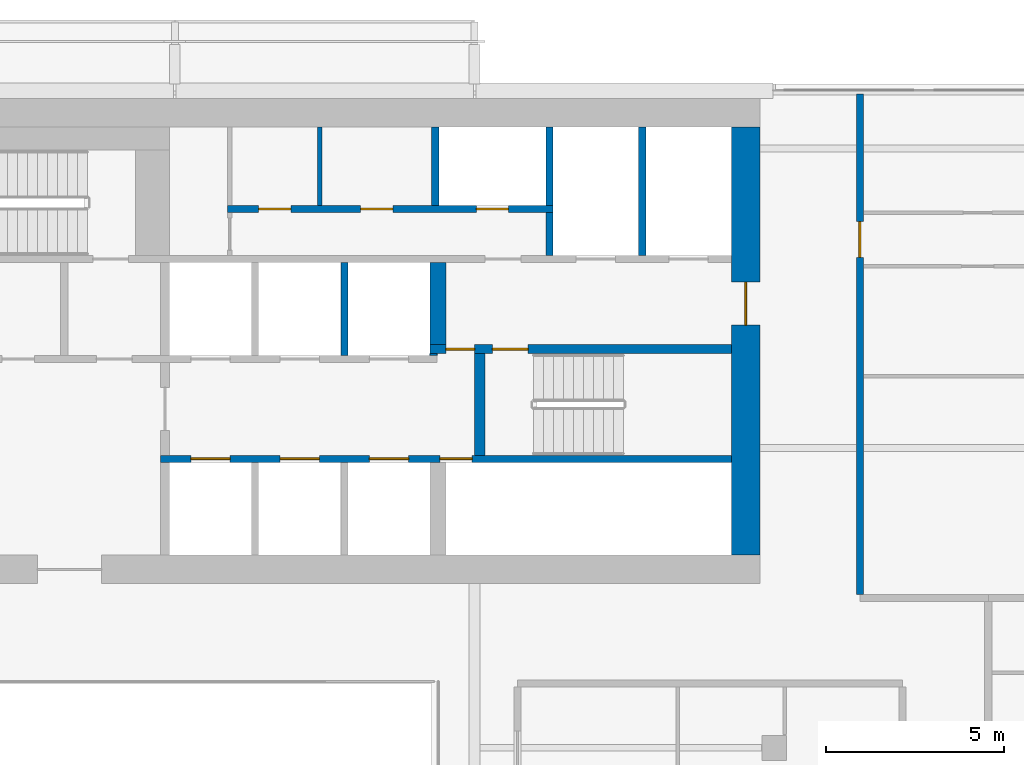
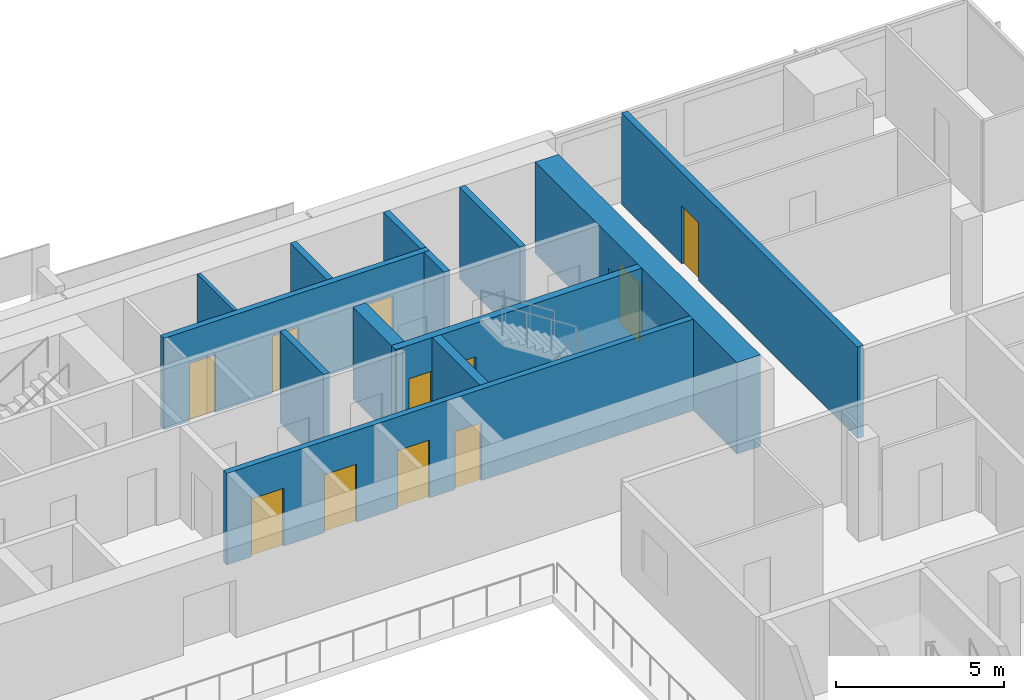
# One storey, part 23 of 28: 14 walls, 11 doors, 11 openings.
"""IFC4 building model written with IfcOpenShell, lengths in metres."""

from ifc_helpers import new_model, si_unit, direction, frame, frame_2d, origin, place, context, subcontext, project, spatial, rectangle, extrude, material, layer, layer_set, type_object, element, fill, save


model = new_model("IFC4")

# Units and contexts
model_context = context("Model", 3, precision=1e-05, world=origin(), true_north=direction((0.0, 1.0)))
body_context = subcontext(model_context, "Body", "Model", "MODEL_VIEW")
ifc_project = project(units=[si_unit("LENGTHUNIT", "METRE"), si_unit("AREAUNIT", "SQUARE_METRE"), si_unit("VOLUMEUNIT", "CUBIC_METRE"), si_unit("PLANEANGLEUNIT", "RADIAN"), si_unit("MASSUNIT", "GRAM", prefix="KILO")], contexts=[model_context])

# Site, building, storey
site_placement = place(None, origin())
site = spatial("IfcSite", under=ifc_project, at=site_placement, CompositionType="ELEMENT")
building_placement = place(site_placement, origin())
building = spatial("IfcBuilding", under=site, at=building_placement, Name="Saffron Gate Tower", CompositionType="ELEMENT")
storey_placement = place(building_placement, frame((0.0, 0.0, 151.050048828125)))
storey = spatial("IfcBuildingStorey", under=building, at=storey_placement, Name="L36", CompositionType="ELEMENT", Elevation=151.050048828125)

# Wall, opening, door
ifc_material_1 = material(Name="Concrete C60", Category="concrete")
ifc_layer_1 = layer(ifc_material_1, 0.800048828125)
ifc_layer_set_1 = layer_set([ifc_layer_1], Name="CW13 RC core wall 800 C60")
wall_type_1 = type_object("IfcWallType", Name="CW13 RC core wall 800 C60", PredefinedType="SOLIDWALL", material=ifc_layer_set_1)
wall_1_placement = place(storey_placement, frame((107.800048828125, 62.39990234375, 0.0), z_axis=(0.0, 0.0, 1.0), x_axis=(0.0, 1.0, 0.0)))
wall_1 = element("IfcWall", 1, at=wall_1_placement, inside=storey, type_object=wall_type_1, Name="Wall CW13-L36-4", PredefinedType="SOLIDWALL", context=body_context, shape_type="SweptSolid", body=[
    extrude(rectangle(XDim=12.0, YDim=0.800048828125, at=frame_2d((6.0, 0.0))), origin(), (0.0, 0.0, 1.0), 3.320068359375),
])
opening_1_placement = place(wall_1_placement, frame((6.449951171875, 0.0, 0.0)))
opening_1 = element("IfcOpeningElement", 2, at=opening_1_placement, cuts=wall_1, Name="Opening CR-08", PredefinedType="OPENING", context=body_context, shape_type="SweptSolid", body=[
    extrude(rectangle(XDim=1.199951171875, YDim=2.10009765625, at=frame_2d((0.60009765625, 1.050048828125))), frame((0.0, 0.41015625, 0.0), z_axis=(0.0, -1.0, 0.0), x_axis=(1.0, 0.0, 0.0)), (0.0, 0.0, 1.0), 0.820068359375),
])
ifc_material_2 = material(Name="Steel fire door set", Category="steel")
door_type_1 = type_object("IfcDoorType", Name="CD7 Core entrance door 1200x2100 EI 120", OperationType="NOTDEFINED", PredefinedType="DOOR", material=ifc_material_2)
door_1_placement = place(opening_1_placement, origin())
door_1 = element("IfcDoor", 3, at=door_1_placement, inside=storey, type_object=door_type_1, Name="DOOR CR-08", OperationType="SINGLE_SWING_RIGHT", OverallHeight=2.10009765625, OverallWidth=1.199951171875, PredefinedType="DOOR", context=body_context, shape_type="SweptSolid", body=[
    extrude(rectangle(XDim=1.199951171875, YDim=2.10009765625, at=frame_2d((0.60009765625, 1.050048828125))), frame((0.0, 0.02490234375, 0.0), z_axis=(0.0, -1.0, 0.0), x_axis=(1.0, 0.0, 0.0)), (0.0, 0.0, 1.0), 0.050048828125),
])
fill(opening_1, door_1)

# Wall, openings, doors
ifc_layer_2 = layer(ifc_material_1, 0.25)
ifc_layer_set_2 = layer_set([ifc_layer_2], Name="CW14 RC core wall 250 C60")
wall_type_2 = type_object("IfcWallType", Name="CW14 RC core wall 250 C60", PredefinedType="SOLIDWALL", material=ifc_layer_set_2)
wall_2_placement = place(storey_placement, frame((98.949951171875, 68.175048828125, 0.0), z_axis=(0.0, 0.0, 1.0), x_axis=(1.0, 0.0, 0.0)))
wall_2 = element("IfcWall", 4, at=wall_2_placement, inside=storey, type_object=wall_type_2, Name="Wall CW14-L36-28", PredefinedType="SOLIDWALL", context=body_context, shape_type="SweptSolid", body=[
    extrude(rectangle(XDim=8.449951171875, YDim=0.25, at=frame_2d((4.22509765625, 0.0))), origin(), (0.0, 0.0, 1.0), 3.320068359375),
])
opening_2_placement = place(wall_2_placement, frame((0.449951171875, 0.0, 0.0)))
opening_2 = element("IfcOpeningElement", 5, at=opening_2_placement, cuts=wall_2, Name="Opening CR-05", PredefinedType="OPENING", context=body_context, shape_type="SweptSolid", body=[
    extrude(rectangle(XDim=0.800048828125, YDim=2.10009765625, at=frame_2d((0.39990234375, 1.050048828125))), frame((0.0, 0.135009765625, 0.0), z_axis=(0.0, -1.0, 0.0), x_axis=(1.0, 0.0, 0.0)), (0.0, 0.0, 1.0), 0.27001953125),
])
opening_3_placement = place(wall_2_placement, frame((1.75, 0.0, 0.0)))
opening_3 = element("IfcOpeningElement", 6, at=opening_3_placement, cuts=wall_2, Name="Opening CR-16", PredefinedType="OPENING", context=body_context, shape_type="SweptSolid", body=[
    extrude(rectangle(XDim=1.0, YDim=2.10009765625, at=frame_2d((0.5, 1.050048828125))), frame((0.0, 0.135009765625, 0.0), z_axis=(0.0, -1.0, 0.0), x_axis=(1.0, 0.0, 0.0)), (0.0, 0.0, 1.0), 0.27001953125),
])
door_type_2 = type_object("IfcDoorType", Name="CD5 Stair door 1000x2100 EI 120", OperationType="NOTDEFINED", PredefinedType="DOOR", material=ifc_material_2)
door_2_placement = place(opening_3_placement, origin())
door_2 = element("IfcDoor", 7, at=door_2_placement, inside=storey, type_object=door_type_2, Name="DOOR CR-16", OperationType="SINGLE_SWING_RIGHT", OverallHeight=2.10009765625, OverallWidth=1.0, PredefinedType="DOOR", context=body_context, shape_type="SweptSolid", body=[
    extrude(rectangle(XDim=1.0, YDim=2.10009765625, at=frame_2d((0.5, 1.050048828125))), frame((0.0, 0.02490234375, 0.0), z_axis=(0.0, -1.0, 0.0), x_axis=(1.0, 0.0, 0.0)), (0.0, 0.0, 1.0), 0.050048828125),
])
fill(opening_3, door_2)
door_type_3 = type_object("IfcDoorType", Name="CD6 Lobby door 800x2100 EI 120", OperationType="NOTDEFINED", PredefinedType="DOOR", material=ifc_material_2)
door_3_placement = place(opening_2_placement, origin())
door_3 = element("IfcDoor", 8, at=door_3_placement, inside=storey, type_object=door_type_3, Name="DOOR CR-05", OperationType="SINGLE_SWING_LEFT", OverallHeight=2.10009765625, OverallWidth=0.800048828125, PredefinedType="DOOR", context=body_context, shape_type="SweptSolid", body=[
    extrude(rectangle(XDim=0.800048828125, YDim=2.10009765625, at=frame_2d((0.39990234375, 1.050048828125))), frame((0.0, 0.02490234375, 0.0), z_axis=(0.0, -1.0, 0.0), x_axis=(1.0, 0.0, 0.0)), (0.0, 0.0, 1.0), 0.050048828125),
])
fill(opening_2, door_3)

ifc_layer_3 = layer(ifc_material_1, 0.199951171875)
ifc_layer_set_3 = layer_set([ifc_layer_3], Name="CW15 RC core wall 200 C60")
wall_type_3 = type_object("IfcWallType", Name="CW15 RC core wall 200 C60", PredefinedType="SOLIDWALL", material=ifc_layer_set_3)
wall_3_placement = place(storey_placement, frame((91.39990234375, 65.10009765625, 0.0), z_axis=(0.0, 0.0, 1.0), x_axis=(1.0, 0.0, 0.0)))
wall_3 = element("IfcWall", 9, at=wall_3_placement, inside=storey, type_object=wall_type_3, Name="Wall CW15-L36-13", PredefinedType="SOLIDWALL", context=body_context, shape_type="SweptSolid", body=[
    extrude(rectangle(XDim=16.0, YDim=0.199951171875, at=frame_2d((8.0, 0.0))), origin(), (0.0, 0.0, 1.0), 3.320068359375),
])
opening_4_placement = place(wall_3_placement, frame((0.85009765625, 0.0, 0.0)))
opening_4 = element("IfcOpeningElement", 10, at=opening_4_placement, cuts=wall_3, Name="Opening LD-HR1", PredefinedType="OPENING", context=body_context, shape_type="SweptSolid", body=[
    extrude(rectangle(XDim=1.10009765625, YDim=2.10009765625, at=frame_2d((0.550048828125, 1.050048828125))), frame((0.0, 0.10986328125, 0.0), z_axis=(0.0, -1.0, 0.0), x_axis=(1.0, 0.0, 0.0)), (0.0, 0.0, 1.0), 0.219970703125),
])
opening_5_placement = place(wall_3_placement, frame((3.35009765625, 0.0, 0.0)))
opening_5 = element("IfcOpeningElement", 11, at=opening_5_placement, cuts=wall_3, Name="Opening LD-HR2", PredefinedType="OPENING", context=body_context, shape_type="SweptSolid", body=[
    extrude(rectangle(XDim=1.10009765625, YDim=2.10009765625, at=frame_2d((0.550048828125, 1.050048828125))), frame((0.0, 0.10986328125, 0.0), z_axis=(0.0, -1.0, 0.0), x_axis=(1.0, 0.0, 0.0)), (0.0, 0.0, 1.0), 0.219970703125),
])
opening_6_placement = place(wall_3_placement, frame((5.85009765625, 0.0, 0.0)))
opening_6 = element("IfcOpeningElement", 12, at=opening_6_placement, cuts=wall_3, Name="Opening LD-HR3", PredefinedType="OPENING", context=body_context, shape_type="SweptSolid", body=[
    extrude(rectangle(XDim=1.10009765625, YDim=2.10009765625, at=frame_2d((0.550048828125, 1.050048828125))), frame((0.0, 0.10986328125, 0.0), z_axis=(0.0, -1.0, 0.0), x_axis=(1.0, 0.0, 0.0)), (0.0, 0.0, 1.0), 0.219970703125),
])
opening_7_placement = place(wall_3_placement, frame((7.830078125, 0.0, 0.0)))
opening_7 = element("IfcOpeningElement", 13, at=opening_7_placement, cuts=wall_3, Name="Opening CR-48", PredefinedType="OPENING", context=body_context, shape_type="SweptSolid", body=[
    extrude(rectangle(XDim=0.89990234375, YDim=2.10009765625, at=frame_2d((0.449951171875, 1.050048828125))), frame((0.0, 0.10986328125, 0.0), z_axis=(0.0, -1.0, 0.0), x_axis=(1.0, 0.0, 0.0)), (0.0, 0.0, 1.0), 0.219970703125),
])
door_type_4 = type_object("IfcDoorType", Name="CD2 Riser door 900x2100 EI 60", OperationType="NOTDEFINED", PredefinedType="DOOR", material=ifc_material_2)
door_4_placement = place(opening_7_placement, origin())
door_4 = element("IfcDoor", 14, at=door_4_placement, inside=storey, type_object=door_type_4, Name="DOOR CR-48", OperationType="SINGLE_SWING_RIGHT", OverallHeight=2.10009765625, OverallWidth=0.89990234375, PredefinedType="DOOR", context=body_context, shape_type="SweptSolid", body=[
    extrude(rectangle(XDim=0.89990234375, YDim=2.10009765625, at=frame_2d((0.449951171875, 1.050048828125))), frame((0.0, 0.02490234375, 0.0), z_axis=(0.0, -1.0, 0.0), x_axis=(1.0, 0.0, 0.0)), (0.0, 0.0, 1.0), 0.050048828125),
])
fill(opening_7, door_4)
ifc_material_3 = material(Name="Stainless steel landing door", Category="steel")
door_type_5 = type_object("IfcDoorType", Name="LD Lift landing door 1100x2100 EI 120", OperationType="SLIDING_TO_LEFT", PredefinedType="DOOR", material=ifc_material_3)
door_5_placement = place(opening_4_placement, origin())
door_5 = element("IfcDoor", 15, at=door_5_placement, inside=storey, type_object=door_type_5, Name="LANDING DOOR LD-HR1", OperationType="SLIDING_TO_LEFT", OverallHeight=2.10009765625, OverallWidth=1.10009765625, PredefinedType="DOOR", context=body_context, shape_type="SweptSolid", body=[
    extrude(rectangle(XDim=1.10009765625, YDim=2.10009765625, at=frame_2d((0.550048828125, 1.050048828125))), frame((0.0, 0.02490234375, 0.0), z_axis=(0.0, -1.0, 0.0), x_axis=(1.0, 0.0, 0.0)), (0.0, 0.0, 1.0), 0.050048828125),
])
fill(opening_4, door_5)
door_6_placement = place(opening_5_placement, origin())
door_6 = element("IfcDoor", 16, at=door_6_placement, inside=storey, type_object=door_type_5, Name="LANDING DOOR LD-HR2", OperationType="SLIDING_TO_LEFT", OverallHeight=2.10009765625, OverallWidth=1.10009765625, PredefinedType="DOOR", context=body_context, shape_type="SweptSolid", body=[
    extrude(rectangle(XDim=1.10009765625, YDim=2.10009765625, at=frame_2d((0.550048828125, 1.050048828125))), frame((0.0, 0.02490234375, 0.0), z_axis=(0.0, -1.0, 0.0), x_axis=(1.0, 0.0, 0.0)), (0.0, 0.0, 1.0), 0.050048828125),
])
fill(opening_5, door_6)
door_7_placement = place(opening_6_placement, origin())
door_7 = element("IfcDoor", 17, at=door_7_placement, inside=storey, type_object=door_type_5, Name="LANDING DOOR LD-HR3", OperationType="SLIDING_TO_LEFT", OverallHeight=2.10009765625, OverallWidth=1.10009765625, PredefinedType="DOOR", context=body_context, shape_type="SweptSolid", body=[
    extrude(rectangle(XDim=1.10009765625, YDim=2.10009765625, at=frame_2d((0.550048828125, 1.050048828125))), frame((0.0, 0.02490234375, 0.0), z_axis=(0.0, -1.0, 0.0), x_axis=(1.0, 0.0, 0.0)), (0.0, 0.0, 1.0), 0.050048828125),
])
fill(opening_6, door_7)

# Walls
wall_4_placement = place(storey_placement, frame((96.550048828125, 68.0, 0.0), z_axis=(0.0, 0.0, 1.0), x_axis=(0.0, 1.0, 0.0)))
element("IfcWall", 18, at=wall_4_placement, inside=storey, type_object=wall_type_3, Name="Wall CW15-L36-25", PredefinedType="SOLIDWALL", context=body_context, shape_type="SweptSolid", body=[
    extrude(rectangle(XDim=2.60009765625, YDim=0.199951171875, at=frame_2d((1.300048828125, 0.0))), origin(), (0.0, 0.0, 1.0), 3.320068359375),
])
wall_5_placement = place(storey_placement, frame((102.300048828125, 70.800048828125, 0.0), z_axis=(0.0, 0.0, 1.0), x_axis=(0.0, 1.0, 0.0)))
element("IfcWall", 19, at=wall_5_placement, inside=storey, type_object=wall_type_3, Name="Wall CW15-L36-38", PredefinedType="SOLIDWALL", context=body_context, shape_type="SweptSolid", body=[
    extrude(rectangle(XDim=1.199951171875, YDim=0.199951171875, at=frame_2d((0.60009765625, 0.0))), origin(), (0.0, 0.0, 1.0), 3.320068359375),
])
wall_6_placement = place(storey_placement, frame((104.89990234375, 70.800048828125, 0.0), z_axis=(0.0, 0.0, 1.0), x_axis=(0.0, 1.0, 0.0)))
element("IfcWall", 20, at=wall_6_placement, inside=storey, type_object=wall_type_3, Name="Wall CW15-L36-39", PredefinedType="SOLIDWALL", context=body_context, shape_type="SweptSolid", body=[
    extrude(rectangle(XDim=3.599853515625, YDim=0.199951171875, at=frame_2d((1.7998046875, 0.0))), origin(), (0.0, 0.0, 1.0), 3.320068359375),
])

# Wall, openings, doors
wall_7_placement = place(storey_placement, frame((93.280029296875, 72.10009765625, 0.0), z_axis=(0.0, 0.0, 1.0), x_axis=(1.0, 0.0, 0.0)))
wall_7 = element("IfcWall", 21, at=wall_7_placement, inside=storey, type_object=wall_type_3, Name="Wall CW15-L36-41", PredefinedType="SOLIDWALL", context=body_context, shape_type="SweptSolid", body=[
    extrude(rectangle(XDim=9.119873046875, YDim=0.199951171875, at=frame_2d((4.56005859375, 0.0))), origin(), (0.0, 0.0, 1.0), 3.320068359375),
])
opening_8_placement = place(wall_7_placement, frame((0.8701171875, 0.0, 0.0)))
opening_8 = element("IfcOpeningElement", 22, at=opening_8_placement, cuts=wall_7, Name="Opening CR-50", PredefinedType="OPENING", context=body_context, shape_type="SweptSolid", body=[
    extrude(rectangle(XDim=0.89990234375, YDim=2.10009765625, at=frame_2d((0.449951171875, 1.050048828125))), frame((0.0, 0.10986328125, 0.0), z_axis=(0.0, -1.0, 0.0), x_axis=(1.0, 0.0, 0.0)), (0.0, 0.0, 1.0), 0.219970703125),
])
opening_9_placement = place(wall_7_placement, frame((3.72998046875, 0.0, 0.0)))
opening_9 = element("IfcOpeningElement", 23, at=opening_9_placement, cuts=wall_7, Name="Opening CR-53", PredefinedType="OPENING", context=body_context, shape_type="SweptSolid", body=[
    extrude(rectangle(XDim=0.89990234375, YDim=2.10009765625, at=frame_2d((0.449951171875, 1.050048828125))), frame((0.0, 0.10986328125, 0.0), z_axis=(0.0, -1.0, 0.0), x_axis=(1.0, 0.0, 0.0)), (0.0, 0.0, 1.0), 0.219970703125),
])
opening_10_placement = place(wall_7_placement, frame((6.969970703125, 0.0, 0.0)))
opening_10 = element("IfcOpeningElement", 24, at=opening_10_placement, cuts=wall_7, Name="Opening CR-70", PredefinedType="OPENING", context=body_context, shape_type="SweptSolid", body=[
    extrude(rectangle(XDim=0.89990234375, YDim=2.10009765625, at=frame_2d((0.449951171875, 1.050048828125))), frame((0.0, 0.10986328125, 0.0), z_axis=(0.0, -1.0, 0.0), x_axis=(1.0, 0.0, 0.0)), (0.0, 0.0, 1.0), 0.219970703125),
])
door_8_placement = place(opening_10_placement, origin())
door_8 = element("IfcDoor", 25, at=door_8_placement, inside=storey, type_object=door_type_4, Name="DOOR CR-70", OperationType="SINGLE_SWING_LEFT", OverallHeight=2.10009765625, OverallWidth=0.89990234375, PredefinedType="DOOR", context=body_context, shape_type="SweptSolid", body=[
    extrude(rectangle(XDim=0.89990234375, YDim=2.10009765625, at=frame_2d((0.449951171875, 1.050048828125))), frame((0.0, 0.02490234375, 0.0), z_axis=(0.0, -1.0, 0.0), x_axis=(1.0, 0.0, 0.0)), (0.0, 0.0, 1.0), 0.050048828125),
])
fill(opening_10, door_8)
door_type_6 = type_object("IfcDoorType", Name="CD9 Room door 900x2100 EI 60", OperationType="NOTDEFINED", PredefinedType="DOOR", material=ifc_material_2)
door_9_placement = place(opening_8_placement, origin())
door_9 = element("IfcDoor", 26, at=door_9_placement, inside=storey, type_object=door_type_6, Name="DOOR CR-50", OperationType="SINGLE_SWING_LEFT", OverallHeight=2.10009765625, OverallWidth=0.89990234375, PredefinedType="DOOR", context=body_context, shape_type="SweptSolid", body=[
    extrude(rectangle(XDim=0.89990234375, YDim=2.10009765625, at=frame_2d((0.449951171875, 1.050048828125))), frame((0.0, 0.02490234375, 0.0), z_axis=(0.0, -1.0, 0.0), x_axis=(1.0, 0.0, 0.0)), (0.0, 0.0, 1.0), 0.050048828125),
])
fill(opening_8, door_9)
door_10_placement = place(opening_9_placement, origin())
door_10 = element("IfcDoor", 27, at=door_10_placement, inside=storey, type_object=door_type_6, Name="DOOR CR-53", OperationType="SINGLE_SWING_LEFT", OverallHeight=2.10009765625, OverallWidth=0.89990234375, PredefinedType="DOOR", context=body_context, shape_type="SweptSolid", body=[
    extrude(rectangle(XDim=0.89990234375, YDim=2.10009765625, at=frame_2d((0.449951171875, 1.050048828125))), frame((0.0, 0.02490234375, 0.0), z_axis=(0.0, -1.0, 0.0), x_axis=(1.0, 0.0, 0.0)), (0.0, 0.0, 1.0), 0.050048828125),
])
fill(opening_9, door_10)

# Walls
for number, where, z_axis, x_axis, name in (
    (28, (99.10009765625, 72.199951171875, 0.0), (0.0, 0.0, 1.0), (0.0, 1.0, 0.0), "Wall CW15-L36-48"),
    (29, (102.300048828125, 72.199951171875, 0.0), (0.0, 0.0, 1.0), (0.0, 1.0, 0.0), "Wall CW15-L36-49"),
):
    element("IfcWall", number, at=place(storey_placement, frame(where, z_axis=z_axis, x_axis=x_axis)), inside=storey, type_object=wall_type_3, Name=name, PredefinedType="SOLIDWALL", context=body_context, shape_type="SweptSolid", body=[
        extrude(rectangle(XDim=2.199951171875, YDim=0.199951171875, at=frame_2d((1.10009765625, 0.0))), origin(), (0.0, 0.0, 1.0), 3.320068359375),
    ])
ifc_layer_4 = layer(ifc_material_1, 0.449951171875)
ifc_layer_set_4 = layer_set([ifc_layer_4], Name="CW16 RC core wall 450 C60")
wall_type_4 = type_object("IfcWallType", Name="CW16 RC core wall 450 C60", PredefinedType="SOLIDWALL", material=ifc_layer_set_4)
wall_8_placement = place(storey_placement, frame((99.175048828125, 68.300048828125, 0.0), z_axis=(0.0, 0.0, 1.0), x_axis=(0.0, 1.0, 0.0)))
element("IfcWall", 30, at=wall_8_placement, inside=storey, type_object=wall_type_4, Name="Wall CW16-L36-30", PredefinedType="SOLIDWALL", context=body_context, shape_type="SweptSolid", body=[
    extrude(rectangle(XDim=2.300048828125, YDim=0.449951171875, at=frame_2d((1.14990234375, 0.0))), origin(), (0.0, 0.0, 1.0), 3.320068359375),
])
ifc_layer_5 = layer(ifc_material_1, 0.300048828125)
ifc_layer_set_5 = layer_set([ifc_layer_5], Name="CW17 RC core wall 300 C60")
wall_type_5 = type_object("IfcWallType", Name="CW17 RC core wall 300 C60", PredefinedType="SOLIDWALL", material=ifc_layer_set_5)
wall_9_placement = place(storey_placement, frame((100.35009765625, 65.199951171875, 0.0), z_axis=(0.0, 0.0, 1.0), x_axis=(0.0, 1.0, 0.0)))
element("IfcWall", 31, at=wall_9_placement, inside=storey, type_object=wall_type_5, Name="Wall CW17-L36-17", PredefinedType="SOLIDWALL", context=body_context, shape_type="SweptSolid", body=[
    extrude(rectangle(XDim=2.85009765625, YDim=0.300048828125, at=frame_2d((1.425048828125, 0.0))), origin(), (0.0, 0.0, 1.0), 3.320068359375),
])
ifc_layer_6 = layer(ifc_material_1, 0.050048828125)
ifc_layer_set_6 = layer_set([ifc_layer_6], Name="CW18 RC core wall 50 C60")
wall_type_6 = type_object("IfcWallType", Name="CW18 RC core wall 50 C60", PredefinedType="SOLIDWALL", material=ifc_layer_set_6)
wall_10_placement = place(storey_placement, frame((98.949951171875, 68.02490234375, 0.0), z_axis=(0.0, 0.0, 1.0), x_axis=(1.0, 0.0, 0.0)))
element("IfcWall", 32, at=wall_10_placement, inside=storey, type_object=wall_type_6, Name="Wall CW18-L36-26", PredefinedType="SOLIDWALL", context=body_context, shape_type="SweptSolid", body=[
    extrude(rectangle(XDim=0.199951171875, YDim=0.050048828125, at=frame_2d((0.10009765625, 0.0))), origin(), (0.0, 0.0, 1.0), 3.320068359375),
])
ifc_material_4 = material(Name="Gypsum board partition on steel studs", Category="steel")
ifc_layer_7 = layer(ifc_material_4, 0.1201171875)
ifc_layer_set_7 = layer_set([ifc_layer_7], Name="CW8 Core partition 120")
wall_type_7 = type_object("IfcWallType", Name="CW8 Core partition 120", PredefinedType="PARTITIONING", material=ifc_layer_set_7)
wall_11_placement = place(storey_placement, frame((95.860107421875, 72.199951171875, 0.0), z_axis=(0.0, 0.0, 1.0), x_axis=(0.0, 1.0, 0.0)))
element("IfcWall", 33, at=wall_11_placement, inside=storey, type_object=wall_type_7, Name="Wall CW8-L36-47", PredefinedType="PARTITIONING", context=body_context, shape_type="SweptSolid", body=[
    extrude(rectangle(XDim=2.199951171875, YDim=0.1201171875, at=frame_2d((1.10009765625, 0.0))), origin(), (0.0, 0.0, 1.0), 3.320068359375),
])

# Wall, opening, door
ifc_material_5 = material(Name="Clay brick masonry, rendered", Category="masonry")
ifc_layer_8 = layer(ifc_material_5, 0.199951171875)
ifc_layer_set_8 = layer_set([ifc_layer_8], Name="PW3 Corridor wall 200")
wall_type_8 = type_object("IfcWallType", Name="PW3 Corridor wall 200", PredefinedType="PARTITIONING", material=ifc_layer_set_8)
wall_12_placement = place(storey_placement, frame((111.0, 75.320068359375, 0.0), z_axis=(0.0, 0.0, 1.0), x_axis=(0.0, -1.0, 0.0)))
wall_12 = element("IfcWall", 34, at=wall_12_placement, inside=storey, type_object=wall_type_8, Name="Wall C1-100", PredefinedType="PARTITIONING", context=body_context, shape_type="SweptSolid", body=[
    extrude(rectangle(XDim=14.02001953125, YDim=0.199951171875, at=frame_2d((7.010009765625, 0.0))), origin(), (0.0, 0.0, 1.0), 3.320068359375),
])
opening_11_placement = place(wall_12_placement, frame((3.570068359375, 0.0, 0.0)))
opening_11 = element("IfcOpeningElement", 35, at=opening_11_placement, cuts=wall_12, Name="Opening C1-8", PredefinedType="OPENING", context=body_context, shape_type="SweptSolid", body=[
    extrude(rectangle(XDim=1.0, YDim=2.10009765625, at=frame_2d((0.5, 1.050048828125))), frame((0.0, 0.10986328125, 0.0), z_axis=(0.0, -1.0, 0.0), x_axis=(1.0, 0.0, 0.0)), (0.0, 0.0, 1.0), 0.219970703125),
])
ifc_material_6 = material(Name="Timber fire door set", Category="wood")
door_type_7 = type_object("IfcDoorType", Name="FD1 Flat entry door 1000x2100", OperationType="NOTDEFINED", PredefinedType="DOOR", material=ifc_material_6)
door_11_placement = place(opening_11_placement, origin())
door_11 = element("IfcDoor", 36, at=door_11_placement, inside=storey, type_object=door_type_7, Name="Door C1-8", OperationType="SINGLE_SWING_RIGHT", OverallHeight=2.10009765625, OverallWidth=1.0, PredefinedType="DOOR", context=body_context, shape_type="SweptSolid", body=[
    extrude(rectangle(XDim=1.0, YDim=2.10009765625, at=frame_2d((0.5, 1.050048828125))), frame((0.0, 0.02490234375, 0.0), z_axis=(0.0, -1.0, 0.0), x_axis=(1.0, 0.0, 0.0)), (0.0, 0.0, 1.0), 0.050048828125),
])
fill(opening_11, door_11)

save(model, "model.ifc")
